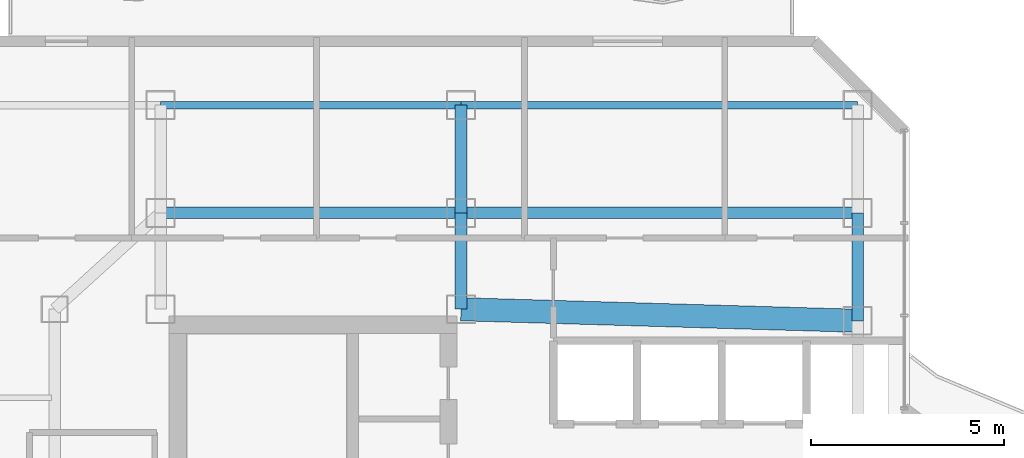
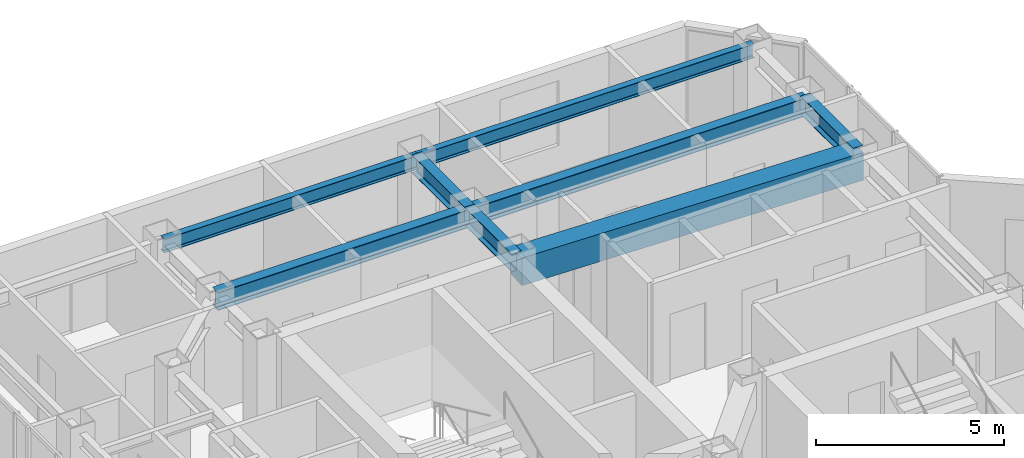
# One storey, part 16 of 26: 8 beams.
"""IFC4 building model written with IfcOpenShell, lengths in metres."""

import ifcopenshell
import ifcopenshell.guid

model = None  # the IFC model being written
_history = None  # IfcOwnerHistory: only IFC2X3 demands one
_inside = {}  # id of a spatial element -> (the spatial element, [elements in it])
_under = {}  # id of a project, library or spatial element -> (it, [spatial elements below it])
_declared = {}  # id of a project -> (the project, [libraries it declares])
_typed = {}  # id of a type object -> (the type object, [elements of that type])
_made_of = {}  # id of a material, layer set ... -> (it, [elements and type objects made of it])


def new_model(schema):
    """Start an empty IFC model of exactly this schema.

    Asked for "IFC4X3", IfcOpenShell would pick the latest addendum, in which some entities
    have other attributes; the version numbers below select the first issue.
    IFC2X3 requires an IfcOwnerHistory on every rooted entity: one is made here for all.
    """
    global model, _history
    if schema == "IFC4X3":
        model = ifcopenshell.file(schema_version=(4, 3, 0, 0))
    else:
        model = ifcopenshell.file(schema=schema)
    _inside.clear()
    _under.clear()
    _declared.clear()
    _typed.clear()
    _made_of.clear()
    _history = None
    if model.schema == "IFC2X3":
        org = make("IfcOrganization", Name="unknown")
        user = make(
            "IfcPersonAndOrganization",
            ThePerson=make("IfcPerson", FamilyName="unknown"),
            TheOrganization=org,
        )
        app = make(
            "IfcApplication",
            ApplicationDeveloper=org,
            Version="unknown",
            ApplicationFullName="unknown",
            ApplicationIdentifier="unknown",
        )
        _history = make(
            "IfcOwnerHistory",
            OwningUser=user,
            OwningApplication=app,
            ChangeAction="ADDED",
            CreationDate=0,
        )
    return model


def make(cls, **values):
    """One entity of the class cls with the attributes given. An attribute that is None is left unset."""
    return model.create_entity(
        cls, **{name: value for name, value in values.items() if value is not None}
    )


def rooted(cls, **values):
    """An entity with a GlobalId (a new one), such as an element, a storey or a relation."""
    return make(cls, GlobalId=ifcopenshell.guid.new(), OwnerHistory=_history, **values)


def si_unit(unit_type, name, prefix=None):
    """IfcSIUnit, for example si_unit("LENGTHUNIT", "METRE", prefix="MILLI")."""
    return make("IfcSIUnit", UnitType=unit_type, Prefix=prefix, Name=name)


def assignment(units):
    """IfcUnitAssignment: the units of a project."""
    return None if units is None else make("IfcUnitAssignment", Units=units)


def point(xyz):
    """IfcCartesianPoint."""
    return None if xyz is None else make("IfcCartesianPoint", Coordinates=xyz)


def direction(xyz):
    """IfcDirection."""
    return None if xyz is None else make("IfcDirection", DirectionRatios=xyz)


def frame(location, z_axis=None, x_axis=None):
    """IfcAxis2Placement3D, a coordinate frame: its origin and axes. An axis left out is left unset."""
    return make(
        "IfcAxis2Placement3D",
        Location=point(location),
        Axis=direction(z_axis),
        RefDirection=direction(x_axis),
    )


def frame_2d(location, x_axis=None):
    """IfcAxis2Placement2D, a coordinate frame in the plane: its origin and x axis."""
    return make(
        "IfcAxis2Placement2D", Location=point(location), RefDirection=direction(x_axis)
    )


def origin():
    """The frame at (0, 0, 0) with its axes left unset."""
    return frame((0.0, 0.0, 0.0))


def origin_2d():
    """The frame at (0, 0) in the plane with its x axis left unset."""
    return frame_2d((0.0, 0.0))


def place(relative_to, where):
    """IfcLocalPlacement: puts the frame where relative to a parent placement (None: the world)."""
    return make(
        "IfcLocalPlacement", PlacementRelTo=relative_to, RelativePlacement=where
    )


def context(
    kind, dimensions, precision=None, world=None, true_north=None, identifier=None
):
    """IfcGeometricRepresentationContext, for example the 3D "Model" context."""
    return make(
        "IfcGeometricRepresentationContext",
        ContextIdentifier=identifier,
        ContextType=kind,
        CoordinateSpaceDimension=dimensions,
        Precision=precision,
        WorldCoordinateSystem=world,
        TrueNorth=true_north,
    )


def subcontext(parent, identifier, kind, view, scale=None):
    """IfcGeometricRepresentationSubContext, for example "Body" below "Model"."""
    return make(
        "IfcGeometricRepresentationSubContext",
        ContextIdentifier=identifier,
        ContextType=kind,
        ParentContext=parent,
        TargetScale=scale,
        TargetView=view,
    )


def project(units=None, contexts=None):
    """IfcProject with its units and contexts."""
    return rooted(
        "IfcProject",
        Name="project",
        RepresentationContexts=contexts,
        UnitsInContext=assignment(units),
    )


def spatial(cls, under=None, at=None, **own):
    """A site, building, storey or space (cls), placed at a placement, below another one or the project."""
    s = rooted(cls, ObjectPlacement=at, **own)
    if under is not None:
        _under.setdefault(under.id(), (under, []))[1].append(s)
    return s


def profile(cls, at=None, kind="AREA", **sizes):
    """A parametric profile (cls). Its sizes go by their IFC names, for example OverallWidth=200.0."""
    return make(cls, ProfileType=kind, Position=at, **sizes)


def rectangle(**sizes):
    """IfcRectangleProfileDef."""
    return profile("IfcRectangleProfileDef", **sizes)


def i_section(**sizes):
    """IfcIShapeProfileDef."""
    return profile("IfcIShapeProfileDef", **sizes)


def extrude(swept, where, along, depth):
    """IfcExtrudedAreaSolid: the profile swept, set in the frame where, extruded along a direction by depth."""
    return make(
        "IfcExtrudedAreaSolid",
        SweptArea=swept,
        Position=where,
        ExtrudedDirection=direction(along),
        Depth=depth,
    )


def shape(context_of_items, identifier, shape_type, items):
    """IfcShapeRepresentation: the items that make up one representation, for example the "Body"."""
    return make(
        "IfcShapeRepresentation",
        ContextOfItems=context_of_items,
        RepresentationIdentifier=identifier,
        RepresentationType=shape_type,
        Items=items,
    )


def material(Name=None, Category=None):
    """IfcMaterial."""
    return make("IfcMaterial", Name=Name, Category=Category)


def material_profile(
    of_material, cross_section, Name=None, Category=None, Priority=None
):
    """IfcMaterialProfile: a cross section and its material."""
    return make(
        "IfcMaterialProfile",
        Name=Name,
        Material=of_material,
        Profile=cross_section,
        Priority=Priority,
        Category=Category,
    )


def profile_set(profiles, Name=None, composite=None):
    """IfcMaterialProfileSet."""
    return make(
        "IfcMaterialProfileSet",
        Name=Name,
        MaterialProfiles=profiles,
        CompositeProfile=composite,
    )


def made_of(thing, what):
    """Note that an element or type object is made of a material, layer set ...; save() writes the relation."""
    if what is not None:
        _made_of.setdefault(what.id(), (what, []))[1].append(thing)
    return thing


def type_object(cls, material=None, **own):
    """A type object (cls), such as IfcWallType, which elements share."""
    return made_of(rooted(cls, **own), material)


def element(
    cls,
    number,
    at=None,
    inside=None,
    cuts=None,
    type_object=None,
    material=None,
    context=None,
    identifier="Body",
    shape_type=None,
    held_by="IfcProductDefinitionShape",
    body=None,
    shapes=None,
    **own,
):
    """One element of the class cls, such as IfcWall. Its Tag is "e" and its number.

    at: its placement. inside: the storey or other place that contains it. cuts: it is an
    opening in that element (IfcRelVoidsElement). A single representation is given by context,
    identifier, shape_type and body (its items); several are given by shapes. held_by: the class
    of the entity that holds the representations. save() writes the other relations.
    """
    e = rooted(cls, Tag="e%d" % number, ObjectPlacement=at, **own)
    if body is not None:
        shapes = [shape(context, identifier, shape_type, body)]
    if shapes is not None:
        e.Representation = make(held_by, Representations=shapes)
    if inside is not None:
        _inside.setdefault(inside.id(), (inside, []))[1].append(e)
    if cuts is not None:
        rooted(
            "IfcRelVoidsElement", RelatingBuildingElement=cuts, RelatedOpeningElement=e
        )
    if type_object is not None:
        _typed.setdefault(type_object.id(), (type_object, []))[1].append(e)
    return made_of(e, material)


def aggregate(whole, parts):
    """IfcRelAggregates: a whole, such as a stair, and the parts it consists of."""
    return rooted("IfcRelAggregates", RelatingObject=whole, RelatedObjects=parts)


def save(model, path):
    """Write the relations noted so far, then the file.

    IfcRelAggregates (storeys below a building ...), IfcRelContainedInSpatialStructure (elements
    in a storey), IfcRelDefinesByType, IfcRelAssociatesMaterial and IfcRelDeclares: one each for
    every whole, place, type object, material and project.
    """
    for whole, parts in _under.values():
        aggregate(whole, parts)
    for where, things in _inside.values():
        rooted(
            "IfcRelContainedInSpatialStructure",
            RelatedElements=things,
            RelatingStructure=where,
        )
    for kind, things in _typed.values():
        rooted("IfcRelDefinesByType", RelatedObjects=things, RelatingType=kind)
    for what, things in _made_of.values():
        rooted("IfcRelAssociatesMaterial", RelatedObjects=things, RelatingMaterial=what)
    for by, libraries in _declared.values():
        rooted("IfcRelDeclares", RelatingContext=by, RelatedDefinitions=libraries)
    model.write(path)


model = new_model("IFC4")

# Units and contexts
model_context = context("Model", 3, precision=1e-05, world=origin(), true_north=direction((0.0, 1.0)))
body_context = subcontext(model_context, "Body", "Model", "MODEL_VIEW")
ifc_project = project(units=[si_unit("LENGTHUNIT", "METRE"), si_unit("AREAUNIT", "SQUARE_METRE"), si_unit("VOLUMEUNIT", "CUBIC_METRE"), si_unit("PLANEANGLEUNIT", "RADIAN"), si_unit("MASSUNIT", "GRAM", prefix="KILO")], contexts=[model_context])

# Site, building, storey
site_placement = place(None, origin())
site = spatial("IfcSite", under=ifc_project, at=site_placement, CompositionType="ELEMENT")
building_placement = place(site_placement, origin())
building = spatial("IfcBuilding", under=site, at=building_placement, Name="Hatsunagi Terrace Concourse", CompositionType="ELEMENT")
storey_placement = place(building_placement, frame((0.0, 0.0, 195.14990234375)))
storey = spatial("IfcBuildingStorey", under=building, at=storey_placement, Name="L51", CompositionType="ELEMENT", Elevation=195.14990234375)

# Beams
ifc_material_1 = material(Name="Concrete Fc42", Category="concrete")
ifc_material_profile_1 = material_profile(ifc_material_1, rectangle(XDim=0.60009765625, YDim=0.89990234375, at=origin_2d()), Name="RC-600x900")
ifc_profile_set_1 = profile_set([ifc_material_profile_1], Name="Concrete Fc42")
beam_type_1 = type_object("IfcBeamType", Name="CoreCouplingBeam_RC_600x900", PredefinedType="BEAM", material=ifc_profile_set_1)
beam_1_placement = place(storey_placement, frame((33.35009765625, 43.300048828125, 2.900146484375), z_axis=(0.999575947545, -0.029119153303, 0.0), x_axis=(0.029119153303, 0.999575947545, 0.0)))
element("IfcBeam", 1, at=beam_1_placement, inside=storey, type_object=beam_type_1, Name="Beam CB-03 CB-L51-2", PredefinedType="BEAM", context=body_context, shape_type="SweptSolid", body=[
    extrude(rectangle(XDim=0.60009765625, YDim=0.89990234375, at=origin_2d()), origin(), (0.0, 0.0, 1.0), 10.30419921875),
])
ifc_material_2 = material(Name="Steel SN490B", Category="steel")
ifc_material_profile_2 = material_profile(ifc_material_2, i_section(OverallWidth=0.300048828125, OverallDepth=0.587890625, WebThickness=0.011962890625, FlangeThickness=0.02001953125, FilletRadius=0.01806640625, at=origin_2d()), Name="H-588x300x12x20")
ifc_profile_set_2 = profile_set([ifc_material_profile_2], Name="Steel SN490B")
beam_type_2 = type_object("IfcBeamType", Name="OfficeHighGirder_H_588x300", PredefinedType="BEAM", material=ifc_profile_set_2)
beam_2_placement = place(storey_placement, frame((33.35009765625, 43.300048828125, 3.05615234375), z_axis=(0.0, 1.0, 0.0), x_axis=(-1.0, 0.0, 0.0)))
element("IfcBeam", 2, at=beam_2_placement, inside=storey, type_object=beam_type_2, Name="Beam G-06 BM-L51-CN2", PredefinedType="BEAM", context=body_context, shape_type="SweptSolid", body=[
    extrude(i_section(OverallWidth=0.300048828125, OverallDepth=0.587890625, WebThickness=0.011962890625, FlangeThickness=0.02001953125, FilletRadius=0.01806640625, at=origin_2d()), origin(), (0.0, 0.0, 1.0), 2.5),
])
beam_3_placement = place(storey_placement, frame((43.64990234375, 43.0, 3.05615234375), z_axis=(0.0, 1.0, 0.0), x_axis=(-1.0, 0.0, 0.0)))
element("IfcBeam", 3, at=beam_3_placement, inside=storey, type_object=beam_type_2, Name="Beam G-06 BM-L51-CN3", PredefinedType="BEAM", context=body_context, shape_type="SweptSolid", body=[
    extrude(i_section(OverallWidth=0.300048828125, OverallDepth=0.587890625, WebThickness=0.011962890625, FlangeThickness=0.02001953125, FilletRadius=0.01806640625, at=origin_2d()), origin(), (0.0, 0.0, 1.0), 2.800048828125),
])
beam_4_placement = place(storey_placement, frame((25.550048828125, 45.800048828125, 3.05615234375), z_axis=(1.0, 0.0, 0.0), x_axis=(0.0, 1.0, 0.0)))
element("IfcBeam", 4, at=beam_4_placement, inside=storey, type_object=beam_type_2, Name="Beam G-06 BM-L51-CNEW1", PredefinedType="BEAM", context=body_context, shape_type="SweptSolid", body=[
    extrude(i_section(OverallWidth=0.300048828125, OverallDepth=0.587890625, WebThickness=0.011962890625, FlangeThickness=0.02001953125, FilletRadius=0.01806640625, at=origin_2d()), origin(), (0.0, 0.0, 1.0), 7.800048828125),
])
beam_5_placement = place(storey_placement, frame((33.35009765625, 45.800048828125, 3.05615234375), z_axis=(1.0, 0.0, 0.0), x_axis=(0.0, 1.0, 0.0)))
element("IfcBeam", 5, at=beam_5_placement, inside=storey, type_object=beam_type_2, Name="Beam G-06 BM-L51-CNEW2", PredefinedType="BEAM", context=body_context, shape_type="SweptSolid", body=[
    extrude(i_section(OverallWidth=0.300048828125, OverallDepth=0.587890625, WebThickness=0.011962890625, FlangeThickness=0.02001953125, FilletRadius=0.01806640625, at=origin_2d()), origin(), (0.0, 0.0, 1.0), 10.2998046875),
])
beam_6_placement = place(storey_placement, frame((33.35009765625, 45.800048828125, 3.05615234375), z_axis=(0.0, 1.0, 0.0), x_axis=(-1.0, 0.0, 0.0)))
element("IfcBeam", 6, at=beam_6_placement, inside=storey, type_object=beam_type_2, Name="Beam G-06 BM-L51-KN-WN5", PredefinedType="BEAM", context=body_context, shape_type="SweptSolid", body=[
    extrude(i_section(OverallWidth=0.300048828125, OverallDepth=0.587890625, WebThickness=0.011962890625, FlangeThickness=0.02001953125, FilletRadius=0.01806640625, at=origin_2d()), origin(), (0.0, 0.0, 1.0), 2.800048828125),
])
ifc_material_3 = material(Name="Steel SN490B", Category="steel")
ifc_material_profile_3 = material_profile(ifc_material_3, i_section(OverallWidth=0.199951171875, OverallDepth=0.449951171875, WebThickness=0.009033203125, FlangeThickness=0.013916015625, FilletRadius=0.01611328125, at=origin_2d()), Name="H-450x200x9x14")
ifc_profile_set_3 = profile_set([ifc_material_profile_3], Name="Steel SN490B")
beam_type_3 = type_object("IfcBeamType", Name="PerimeterSpandrel_H_450x200", PredefinedType="SPANDREL", material=ifc_profile_set_3)
beam_7_placement = place(storey_placement, frame((25.550048828125, 48.60009765625, 3.125), z_axis=(1.0, 0.0, 0.0), x_axis=(0.0, 1.0, 0.0)))
element("IfcBeam", 7, at=beam_7_placement, inside=storey, type_object=beam_type_3, Name="Beam SP-02 BM-L51-WN-25", PredefinedType="SPANDREL", context=body_context, shape_type="SweptSolid", body=[
    extrude(i_section(OverallWidth=0.199951171875, OverallDepth=0.449951171875, WebThickness=0.009033203125, FlangeThickness=0.013916015625, FilletRadius=0.01611328125, at=origin_2d()), origin(), (0.0, 0.0, 1.0), 7.800048828125),
])
beam_8_placement = place(storey_placement, frame((33.35009765625, 48.60009765625, 3.125), z_axis=(1.0, 0.0, 0.0), x_axis=(0.0, 1.0, 0.0)))
element("IfcBeam", 8, at=beam_8_placement, inside=storey, type_object=beam_type_3, Name="Beam SP-02 BM-L51-WN-33", PredefinedType="SPANDREL", context=body_context, shape_type="SweptSolid", body=[
    extrude(i_section(OverallWidth=0.199951171875, OverallDepth=0.449951171875, WebThickness=0.009033203125, FlangeThickness=0.013916015625, FilletRadius=0.01611328125, at=origin_2d()), origin(), (0.0, 0.0, 1.0), 10.2998046875),
])

save(model, "model.ifc")
